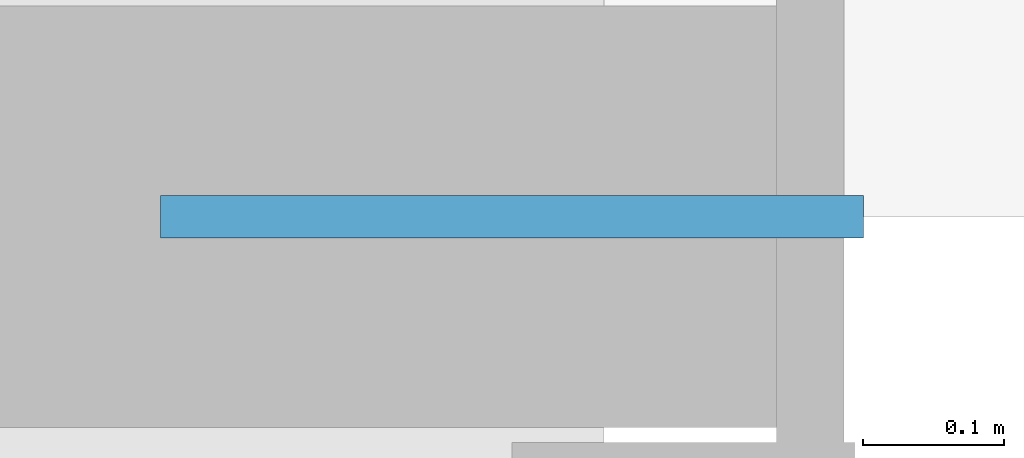
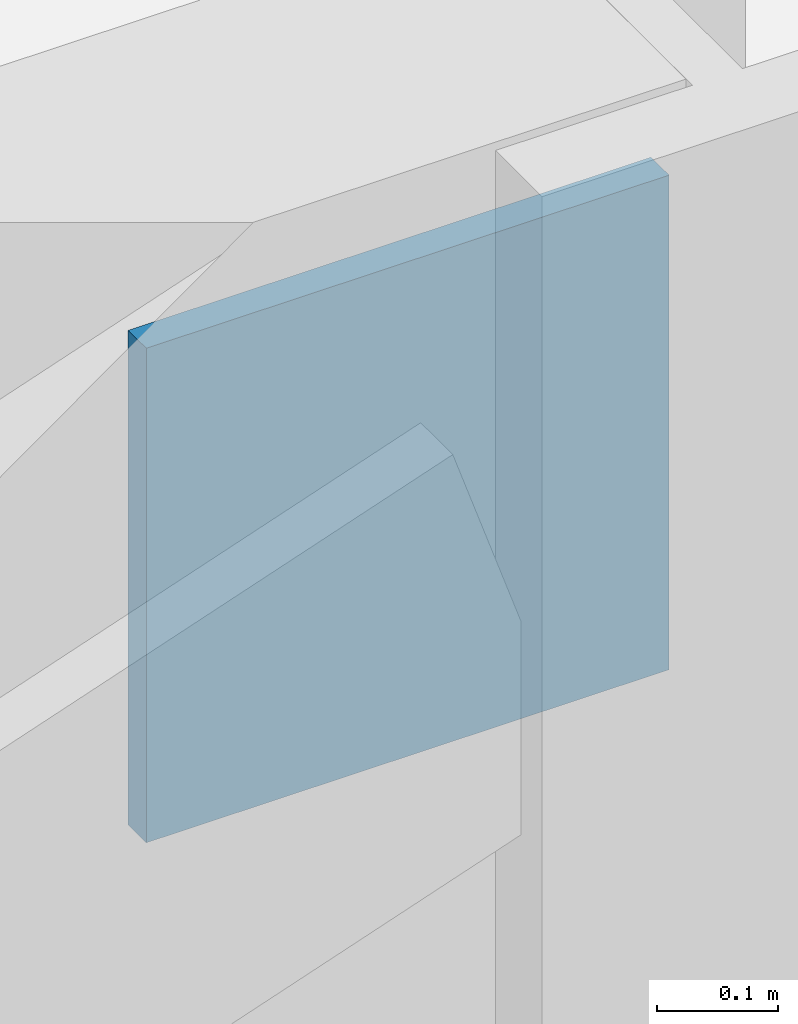
# One storey, part 20 of 29: 1 discrete accessory.
"""IFC4 building model written with IfcOpenShell, lengths in metres."""

from ifc_helpers import new_model, si_unit, direction, frame, origin, origin_2d, place, context, subcontext, project, spatial, rectangle, extrude, material, layer, layer_set, type_object, element, save


model = new_model("IFC4")

# Units and contexts
model_context = context("Model", 3, precision=1e-05, world=origin(), true_north=direction((0.0, 1.0)))
body_context = subcontext(model_context, "Body", "Model", "MODEL_VIEW")
ifc_project = project(units=[si_unit("LENGTHUNIT", "METRE"), si_unit("AREAUNIT", "SQUARE_METRE"), si_unit("VOLUMEUNIT", "CUBIC_METRE"), si_unit("PLANEANGLEUNIT", "RADIAN"), si_unit("MASSUNIT", "GRAM", prefix="KILO")], contexts=[model_context])

# Site, building, storey
site_placement = place(None, origin())
site = spatial("IfcSite", under=ifc_project, at=site_placement, CompositionType="ELEMENT")
building_placement = place(site_placement, origin())
building = spatial("IfcBuilding", under=site, at=building_placement, Name="Mahtab Terrace Research Tower", CompositionType="ELEMENT")
storey_placement = place(building_placement, frame((0.0, 0.0, 76.10009765625)))
storey = spatial("IfcBuildingStorey", under=building, at=storey_placement, Name="L17", CompositionType="ELEMENT", Elevation=76.10009765625)

# Discrete accessory
ifc_material = material(Name="Steel ASTM A992 Gr 50", Category="steel")
ifc_layer = layer(ifc_material, 0.030029296875)
ifc_layer_set = layer_set([ifc_layer], Name="Gusset plate 500x500x30")
discrete_accessory_type = type_object("IfcDiscreteAccessoryType", Name="Gusset plate 500x500x30", PredefinedType="USERDEFINED", material=ifc_layer_set)
discrete_accessory_placement = place(storey_placement, frame((17.787841796875, -23.0, 3.04931640625), z_axis=(0.0, 0.0, 1.0), x_axis=(1.0, 0.0, 0.0)))
element("IfcDiscreteAccessory", 1, at=discrete_accessory_placement, inside=storey, type_object=discrete_accessory_type, Name="Gusset plate", ObjectType="GUSSET PLATE", PredefinedType="USERDEFINED", context=body_context, shape_type="SweptSolid", body=[
    extrude(rectangle(XDim=0.5, YDim=0.030029296875, at=origin_2d()), origin(), (0.0, 0.0, 1.0), 0.5),
])

save(model, "model.ifc")
